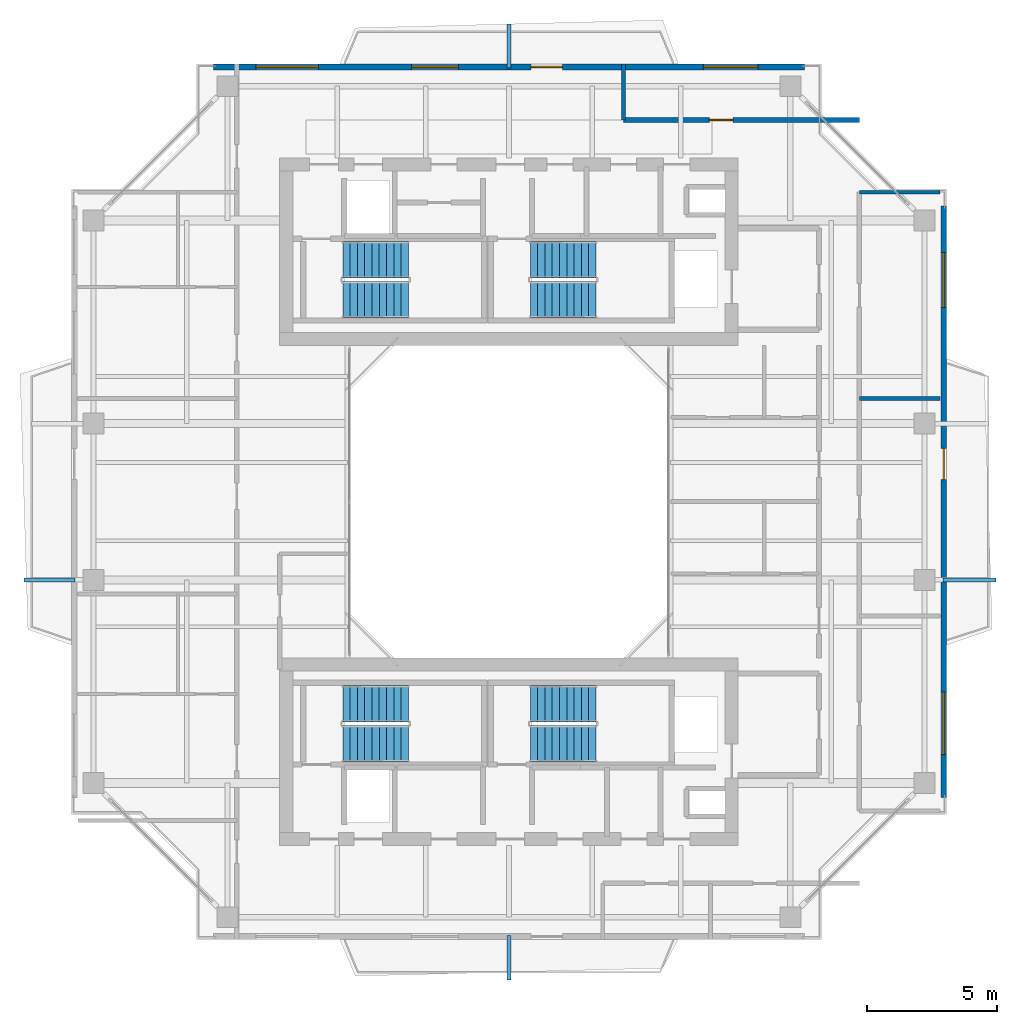
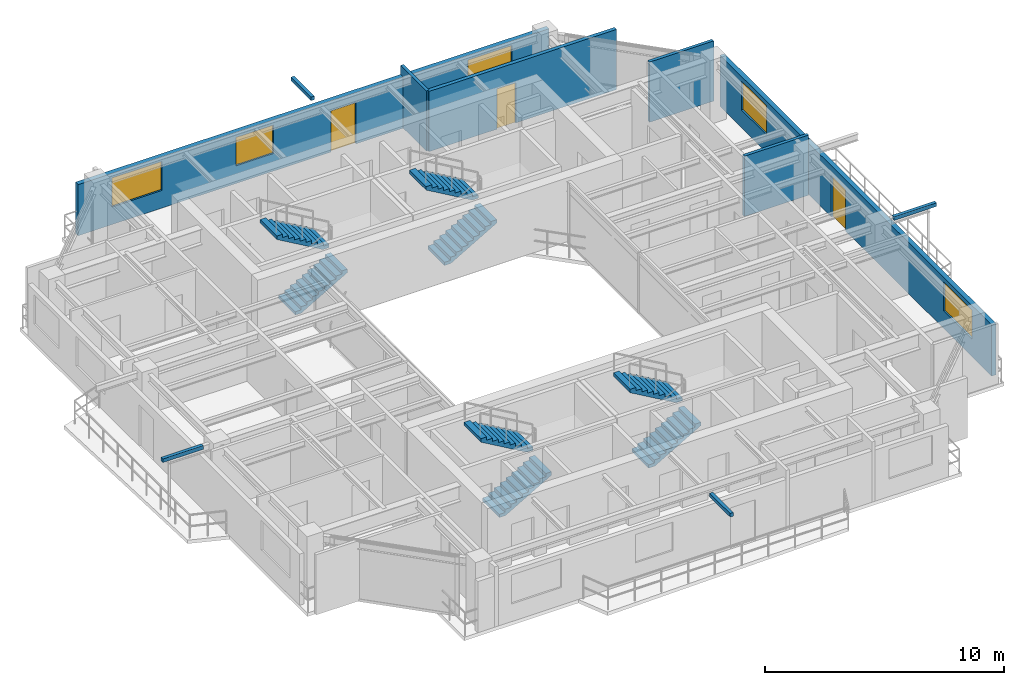
# One storey, part 13 of 15: 8 stair flights, 6 walls, 5 windows, 4 discrete accessories, 3 doors, 8 openings, 4 elements without a shape of their own.
"""IFC4 building model written with IfcOpenShell, lengths in metres."""

from ifc_helpers import new_model, si_unit, direction, frame, frame_2d, origin, origin_2d, place, context, subcontext, project, spatial, polyline, rectangle, outline, extrude, source, transform, mapped, material, layer, layer_set, type_object, element, fill, aggregate, save


model = new_model("IFC4")

# Units and contexts
model_context = context("Model", 3, precision=1e-05, world=origin(), true_north=direction((0.0, 1.0)))
body_context = subcontext(model_context, "Body", "Model", "MODEL_VIEW")
ifc_project = project(units=[si_unit("LENGTHUNIT", "METRE"), si_unit("AREAUNIT", "SQUARE_METRE"), si_unit("VOLUMEUNIT", "CUBIC_METRE"), si_unit("PLANEANGLEUNIT", "RADIAN"), si_unit("MASSUNIT", "GRAM", prefix="KILO"), si_unit("THERMODYNAMICTEMPERATUREUNIT", "KELVIN"), si_unit("POWERUNIT", "WATT")], contexts=[model_context])

# Site, building, storey
site_placement = place(None, origin())
site = spatial("IfcSite", under=ifc_project, at=site_placement, CompositionType="ELEMENT")
building_placement = place(site_placement, origin())
building = spatial("IfcBuilding", under=site, at=building_placement, Name="Qiaomeng Ring Towers", CompositionType="ELEMENT")
storey_placement = place(building_placement, frame((0.0, 0.0, 200.25)))
storey = spatial("IfcBuildingStorey", under=building, at=storey_placement, Name="L58", CompositionType="ELEMENT", Elevation=200.25)

# Wall, openings, windows, door
ifc_material_1 = material(Name="Precast concrete C40", Category="concrete")
ifc_layer_1 = layer(ifc_material_1, 0.219970703125, Name="Precast concrete C40")
ifc_layer_set_1 = layer_set([ifc_layer_1], Name="Precast concrete C40")
wall_type_1 = type_object("IfcWallType", Name="ARC-WL-EW2", PredefinedType="STANDARD", material=ifc_layer_set_1)
wall_1_placement = place(storey_placement, frame((7.64990234375, 39.68994140625, 0.0), z_axis=(0.0, 0.0, 1.0), x_axis=(1.0, 0.0, 0.0)))
wall_1 = element("IfcWall", 1, at=wall_1_placement, inside=storey, type_object=wall_type_1, Name="L58 Tower 1 N Exterior Wall", PredefinedType="STANDARD", context=body_context, shape_type="SweptSolid", body=[
    extrude(rectangle(XDim=22.7001953125, YDim=0.219970703125, at=frame_2d((11.35009765625, 0.0))), origin(), (0.0, 0.0, 1.0), 2.610107421875),
])
opening_1_placement = place(wall_1_placement, frame((12.199951171875, 0.0, 0.0)))
opening_1 = element("IfcOpeningElement", 2, at=opening_1_placement, cuts=wall_1, Name="Opening BD1", PredefinedType="OPENING", context=body_context, shape_type="SweptSolid", body=[
    extrude(rectangle(XDim=1.199951171875, YDim=2.10009765625, at=frame_2d((0.60009765625, 1.050048828125))), frame((0.0, 0.119873046875, 0.0), z_axis=(0.0, -1.0, 0.0), x_axis=(1.0, 0.0, 0.0)), (0.0, 0.0, 1.0), 0.239990234375),
])
opening_2_placement = place(wall_1_placement, frame((1.636962890625, 0.0, 0.89990234375)))
opening_2 = element("IfcOpeningElement", 3, at=opening_2_placement, cuts=wall_1, Name="Opening WN6", PredefinedType="OPENING", context=body_context, shape_type="SweptSolid", body=[
    extrude(rectangle(XDim=2.39990234375, YDim=1.47998046875, at=frame_2d((1.199951171875, 0.739990234375))), frame((0.0, 0.119873046875, 0.0), z_axis=(0.0, -1.0, 0.0), x_axis=(1.0, 0.0, 0.0)), (0.0, 0.0, 1.0), 0.239990234375),
])
opening_3_placement = place(wall_1_placement, frame((7.612060546875, 0.0, 0.89990234375)))
opening_3 = element("IfcOpeningElement", 4, at=opening_3_placement, cuts=wall_1, Name="Opening WN1", PredefinedType="OPENING", context=body_context, shape_type="SweptSolid", body=[
    extrude(rectangle(XDim=1.800048828125, YDim=1.449951171875, at=frame_2d((0.89990234375, 0.72509765625))), frame((0.0, 0.119873046875, 0.0), z_axis=(0.0, -1.0, 0.0), x_axis=(1.0, 0.0, 0.0)), (0.0, 0.0, 1.0), 0.239990234375),
])
opening_4_placement = place(wall_1_placement, frame((18.81201171875, 0.0, 0.89990234375)))
opening_4 = element("IfcOpeningElement", 5, at=opening_4_placement, cuts=wall_1, Name="Opening WN4", PredefinedType="OPENING", context=body_context, shape_type="SweptSolid", body=[
    extrude(rectangle(XDim=2.10009765625, YDim=1.47998046875, at=frame_2d((1.050048828125, 0.739990234375))), frame((0.0, 0.119873046875, 0.0), z_axis=(0.0, -1.0, 0.0), x_axis=(1.0, 0.0, 0.0)), (0.0, 0.0, 1.0), 0.239990234375),
])
ifc_material_2 = material(Name="Low-E dark-grey laminated double glazing", Category="glass")
window_type_1 = type_object("IfcWindowType", Name="ARC-WN-4", PartitioningType="TRIPLE_PANEL_VERTICAL", PredefinedType="WINDOW", material=ifc_material_2)
shared_shape_1 = source(origin(), body_context, "Body", "SweptSolid", [
    extrude(rectangle(XDim=2.10009765625, YDim=1.47998046875, at=frame_2d((1.050048828125, 0.739990234375))), frame((0.0, 0.030029296875, 0.0), z_axis=(0.0, -1.0, 0.0), x_axis=(1.0, 0.0, 0.0)), (0.0, 0.0, 1.0), 0.06005859375),
])
window_1_placement = place(opening_4_placement, origin())
window_1 = element("IfcWindow", 6, at=window_1_placement, inside=storey, type_object=window_type_1, Name="L58 Exterior Window WN4", OverallHeight=1.47998046875, OverallWidth=2.10009765625, PartitioningType="TRIPLE_PANEL_VERTICAL", PredefinedType="WINDOW", context=body_context, shape_type="MappedRepresentation", body=[
    mapped(shared_shape_1, transform((0.0, 0.0, 0.0), x_axis=(1.0, 0.0, 0.0), y_axis=(0.0, 1.0, 0.0), z_axis=(0.0, 0.0, 1.0), scale=1.0)),
])
fill(opening_4, window_1)
window_type_2 = type_object("IfcWindowType", Name="ARC-WN-1", PartitioningType="DOUBLE_PANEL_VERTICAL", PredefinedType="WINDOW", material=ifc_material_2)
shared_shape_2 = source(origin(), body_context, "Body", "SweptSolid", [
    extrude(rectangle(XDim=1.800048828125, YDim=1.449951171875, at=frame_2d((0.89990234375, 0.72509765625))), frame((0.0, 0.030029296875, 0.0), z_axis=(0.0, -1.0, 0.0), x_axis=(1.0, 0.0, 0.0)), (0.0, 0.0, 1.0), 0.06005859375),
])
window_2_placement = place(opening_3_placement, origin())
window_2 = element("IfcWindow", 7, at=window_2_placement, inside=storey, type_object=window_type_2, Name="L58 Exterior Window WN1", OverallHeight=1.449951171875, OverallWidth=1.800048828125, PartitioningType="DOUBLE_PANEL_VERTICAL", PredefinedType="WINDOW", context=body_context, shape_type="MappedRepresentation", body=[
    mapped(shared_shape_2, transform((0.0, 0.0, 0.0), x_axis=(1.0, 0.0, 0.0), y_axis=(0.0, 1.0, 0.0), z_axis=(0.0, 0.0, 1.0), scale=1.0)),
])
fill(opening_3, window_2)
window_type_3 = type_object("IfcWindowType", Name="ARC-WN-6", PartitioningType="TRIPLE_PANEL_VERTICAL", PredefinedType="WINDOW", material=ifc_material_2)
shared_shape_3 = source(origin(), body_context, "Body", "SweptSolid", [
    extrude(rectangle(XDim=2.39990234375, YDim=1.47998046875, at=frame_2d((1.199951171875, 0.739990234375))), frame((0.0, 0.030029296875, 0.0), z_axis=(0.0, -1.0, 0.0), x_axis=(1.0, 0.0, 0.0)), (0.0, 0.0, 1.0), 0.06005859375),
])
window_3_placement = place(opening_2_placement, origin())
window_3 = element("IfcWindow", 8, at=window_3_placement, inside=storey, type_object=window_type_3, Name="L58 Exterior Window WN6", OverallHeight=1.47998046875, OverallWidth=2.39990234375, PartitioningType="TRIPLE_PANEL_VERTICAL", PredefinedType="WINDOW", context=body_context, shape_type="MappedRepresentation", body=[
    mapped(shared_shape_3, transform((0.0, 0.0, 0.0), x_axis=(1.0, 0.0, 0.0), y_axis=(0.0, 1.0, 0.0), z_axis=(0.0, 0.0, 1.0), scale=1.0)),
])
fill(opening_2, window_3)
door_type_1 = type_object("IfcDoorType", Name="ARC-DR-BD1", OperationType="NOTDEFINED", PredefinedType="DOOR", material=ifc_material_2)
shared_shape_4 = source(origin(), body_context, "Body", "SweptSolid", [
    extrude(rectangle(XDim=1.199951171875, YDim=2.10009765625, at=frame_2d((0.60009765625, 1.050048828125))), frame((0.0, 0.02490234375, 0.0), z_axis=(0.0, -1.0, 0.0), x_axis=(1.0, 0.0, 0.0)), (0.0, 0.0, 1.0), 0.050048828125),
])
door_1_placement = place(opening_1_placement, origin())
door_1 = element("IfcDoor", 9, at=door_1_placement, inside=storey, type_object=door_type_1, Name="L58 N Balcony Glazed Door", OperationType="SINGLE_SWING_LEFT", OverallHeight=2.10009765625, OverallWidth=1.199951171875, PredefinedType="DOOR", context=body_context, shape_type="MappedRepresentation", body=[
    mapped(shared_shape_4, transform((0.0, 0.0, 0.0), x_axis=(1.0, 0.0, 0.0), y_axis=(0.0, 1.0, 0.0), z_axis=(0.0, 0.0, 1.0), scale=1.0)),
])
fill(opening_1, door_1)

wall_2_placement = place(storey_placement, frame((35.68994140625, 11.64990234375, 0.0), z_axis=(0.0, 0.0, 1.0), x_axis=(0.0, 1.0, 0.0)))
wall_2 = element("IfcWall", 10, at=wall_2_placement, inside=storey, type_object=wall_type_1, Name="L58 Tower 1 E Exterior Wall", PredefinedType="STANDARD", context=body_context, shape_type="SweptSolid", body=[
    extrude(rectangle(XDim=22.7001953125, YDim=0.219970703125, at=frame_2d((11.35009765625, 0.0))), origin(), (0.0, 0.0, 1.0), 2.610107421875),
])
opening_5_placement = place(wall_2_placement, frame((12.199951171875, 0.0, 0.0)))
opening_5 = element("IfcOpeningElement", 11, at=opening_5_placement, cuts=wall_2, Name="Opening BD1", PredefinedType="OPENING", context=body_context, shape_type="SweptSolid", body=[
    extrude(rectangle(XDim=1.199951171875, YDim=2.10009765625, at=frame_2d((0.60009765625, 1.050048828125))), frame((0.0, 0.119873046875, 0.0), z_axis=(0.0, -1.0, 0.0), x_axis=(1.0, 0.0, 0.0)), (0.0, 0.0, 1.0), 0.239990234375),
])
opening_6_placement = place(wall_2_placement, frame((1.637939453125, 0.0, 0.89990234375)))
opening_6 = element("IfcOpeningElement", 12, at=opening_6_placement, cuts=wall_2, Name="Opening WN6", PredefinedType="OPENING", context=body_context, shape_type="SweptSolid", body=[
    extrude(rectangle(XDim=2.39990234375, YDim=1.47998046875, at=frame_2d((1.199951171875, 0.739990234375))), frame((0.0, 0.119873046875, 0.0), z_axis=(0.0, -1.0, 0.0), x_axis=(1.0, 0.0, 0.0)), (0.0, 0.0, 1.0), 0.239990234375),
])
opening_7_placement = place(wall_2_placement, frame((18.81298828125, 0.0, 0.89990234375)))
opening_7 = element("IfcOpeningElement", 13, at=opening_7_placement, cuts=wall_2, Name="Opening WN4", PredefinedType="OPENING", context=body_context, shape_type="SweptSolid", body=[
    extrude(rectangle(XDim=2.10009765625, YDim=1.47998046875, at=frame_2d((1.050048828125, 0.739990234375))), frame((0.0, 0.119873046875, 0.0), z_axis=(0.0, -1.0, 0.0), x_axis=(1.0, 0.0, 0.0)), (0.0, 0.0, 1.0), 0.239990234375),
])
window_4_placement = place(opening_7_placement, origin())
window_4 = element("IfcWindow", 14, at=window_4_placement, inside=storey, type_object=window_type_1, Name="L58 Exterior Window WN4", OverallHeight=1.47998046875, OverallWidth=2.10009765625, PartitioningType="TRIPLE_PANEL_VERTICAL", PredefinedType="WINDOW", context=body_context, shape_type="MappedRepresentation", body=[
    mapped(shared_shape_1, transform((0.0, 0.0, 0.0), x_axis=(1.0, 0.0, 0.0), y_axis=(0.0, 1.0, 0.0), z_axis=(0.0, 0.0, 1.0), scale=1.0)),
])
fill(opening_7, window_4)
window_5_placement = place(opening_6_placement, origin())
window_5 = element("IfcWindow", 15, at=window_5_placement, inside=storey, type_object=window_type_3, Name="L58 Exterior Window WN6", OverallHeight=1.47998046875, OverallWidth=2.39990234375, PartitioningType="TRIPLE_PANEL_VERTICAL", PredefinedType="WINDOW", context=body_context, shape_type="MappedRepresentation", body=[
    mapped(shared_shape_3, transform((0.0, 0.0, 0.0), x_axis=(1.0, 0.0, 0.0), y_axis=(0.0, 1.0, 0.0), z_axis=(0.0, 0.0, 1.0), scale=1.0)),
])
fill(opening_6, window_5)
door_2_placement = place(opening_5_placement, origin())
door_2 = element("IfcDoor", 16, at=door_2_placement, inside=storey, type_object=door_type_1, Name="L58 E Balcony Glazed Door", OperationType="SINGLE_SWING_LEFT", OverallHeight=2.10009765625, OverallWidth=1.199951171875, PredefinedType="DOOR", context=body_context, shape_type="MappedRepresentation", body=[
    mapped(shared_shape_4, transform((0.0, 0.0, 0.0), x_axis=(1.0, 0.0, 0.0), y_axis=(0.0, 1.0, 0.0), z_axis=(0.0, 0.0, 1.0), scale=1.0)),
])
fill(opening_5, door_2)

# Wall, opening, door
ifc_material_3 = material(Name="Autoclaved aerated concrete block", Category="concrete")
ifc_layer_2 = layer(ifc_material_3, 0.179931640625, Name="Autoclaved aerated concrete block")
ifc_layer_set_2 = layer_set([ifc_layer_2], Name="Autoclaved aerated concrete block")
wall_type_2 = type_object("IfcWallType", Name="ARC-WL-PW2", PredefinedType="PARTITIONING", material=ifc_layer_set_2)
wall_3_placement = place(storey_placement, frame((23.39990234375, 37.64990234375, 0.0), z_axis=(0.0, 0.0, 1.0), x_axis=(1.0, 0.0, 0.0)))
wall_3 = element("IfcWall", 17, at=wall_3_placement, inside=storey, type_object=wall_type_2, Name="L58 Interior Wall PW2", PredefinedType="PARTITIONING", context=body_context, shape_type="SweptSolid", body=[
    extrude(rectangle(XDim=9.050048828125, YDim=0.179931640625, at=frame_2d((4.52490234375, 0.0))), origin(), (0.0, 0.0, 1.0), 3.070068359375),
])
opening_8_placement = place(wall_3_placement, frame((3.2900390625, 0.0, 0.0)))
opening_8 = element("IfcOpeningElement", 18, at=opening_8_placement, cuts=wall_3, Name="Opening ID1", PredefinedType="OPENING", context=body_context, shape_type="SweptSolid", body=[
    extrude(rectangle(XDim=0.89990234375, YDim=2.050048828125, at=frame_2d((0.449951171875, 1.02490234375))), frame((0.0, 0.099853515625, 0.0), z_axis=(0.0, -1.0, 0.0), x_axis=(1.0, 0.0, 0.0)), (0.0, 0.0, 1.0), 0.199951171875),
])
ifc_material_4 = material(Name="Engineered oak timber", Category="wood")
door_type_2 = type_object("IfcDoorType", Name="ARC-DR-ID1", OperationType="NOTDEFINED", PredefinedType="DOOR", material=ifc_material_4)
shared_shape_5 = source(origin(), body_context, "Body", "SweptSolid", [
    extrude(rectangle(XDim=0.89990234375, YDim=2.050048828125, at=frame_2d((0.449951171875, 1.02490234375))), frame((0.0, 0.02490234375, 0.0), z_axis=(0.0, -1.0, 0.0), x_axis=(1.0, 0.0, 0.0)), (0.0, 0.0, 1.0), 0.050048828125),
])
door_3_placement = place(opening_8_placement, origin())
door_3 = element("IfcDoor", 19, at=door_3_placement, inside=storey, type_object=door_type_2, Name="L58 Door ID1", OperationType="SINGLE_SWING_LEFT", OverallHeight=2.050048828125, OverallWidth=0.89990234375, PredefinedType="DOOR", context=body_context, shape_type="MappedRepresentation", body=[
    mapped(shared_shape_5, transform((0.0, 0.0, 0.0), x_axis=(1.0, 0.0, 0.0), y_axis=(0.0, 1.0, 0.0), z_axis=(0.0, 0.0, 1.0), scale=1.0)),
])
fill(opening_8, door_3)

# Walls
ifc_material_5 = material(Name="Gypsum fireboard steel-stud partition", Category="steel")
ifc_layer_3 = layer(ifc_material_5, 0.14990234375, Name="Gypsum fireboard steel-stud partition")
ifc_layer_set_3 = layer_set([ifc_layer_3], Name="Gypsum fireboard steel-stud partition")
wall_type_3 = type_object("IfcWallType", Name="ARC-WL-PW3", PredefinedType="PARTITIONING", material=ifc_layer_set_3)
wall_4_placement = place(storey_placement, frame((23.39990234375, 37.64990234375, 0.0), z_axis=(0.0, 0.0, 1.0), x_axis=(0.0, 1.0, 0.0)))
element("IfcWall", 20, at=wall_4_placement, inside=storey, type_object=wall_type_3, Name="L58 Interior Wall PW3", PredefinedType="PARTITIONING", context=body_context, shape_type="SweptSolid", body=[
    extrude(rectangle(XDim=2.150146484375, YDim=0.14990234375, at=frame_2d((1.0751953125, 0.0))), origin(), (0.0, 0.0, 1.0), 3.070068359375),
])
for number, where, z_axis, x_axis, name in (
    (21, (32.449951171875, 34.8798828125, 0.0), (0.0, 0.0, 1.0), (1.0, 0.0, 0.0), "L58 Interior Wall PW3"),
    (22, (32.449951171875, 26.9599609375, 0.0), (0.0, 0.0, 1.0), (1.0, 0.0, 0.0), "L58 Interior Wall PW3"),
):
    element("IfcWall", number, at=place(storey_placement, frame(where, z_axis=z_axis, x_axis=x_axis)), inside=storey, type_object=wall_type_3, Name=name, PredefinedType="PARTITIONING", context=body_context, shape_type="SweptSolid", body=[
        extrude(rectangle(XDim=3.10009765625, YDim=0.14990234375, at=frame_2d((1.550048828125, 0.0))), origin(), (0.0, 0.0, 1.0), 3.070068359375),
    ])

# Stair, stair flights
stair_type = type_object("IfcStairType", Name="ARC-ST-325", PredefinedType="HALF_TURN_STAIR", material=ifc_material_1)
stair_1_placement = place(storey_placement, origin())
stair_1 = element("IfcStair", 23, at=stair_1_placement, inside=storey, type_object=stair_type, Name="L58 Tower 1 North Stair 1", PredefinedType="HALF_TURN_STAIR")
stair_flight_type = type_object("IfcStairFlightType", Name="ARC-ST-325-FL", PredefinedType="STRAIGHT", material=ifc_material_1)
shared_shape_6 = source(origin(), body_context, "Body", "SweptSolid", [
    extrude(outline(polyline([(0.0, 0.0), (0.0, 0.16259765625), (0.280029296875, 0.16259765625), (0.280029296875, 0.324951171875), (0.56005859375, 0.324951171875), (0.56005859375, 0.487548828125), (0.840087890625, 0.487548828125), (0.840087890625, 0.64990234375), (1.1201171875, 0.64990234375), (1.1201171875, 0.8125), (1.39990234375, 0.8125), (1.39990234375, 0.97509765625), (1.679931640625, 0.97509765625), (1.679931640625, 1.137451171875), (1.9599609375, 1.137451171875), (1.9599609375, 1.300048828125), (2.239990234375, 1.300048828125), (2.239990234375, 1.46240234375), (2.52001953125, 1.46240234375), (2.52001953125, 1.625), (2.52001953125, 1.2890625), (0.298583984375, 0.0), (0.0, 0.0)])), frame((0.0, 0.699951171875, 0.0), z_axis=(0.0, -1.0, 0.0), x_axis=(1.0, 0.0, 0.0)), (0.0, 0.0, 1.0), 1.39990234375),
])
stair_flight_1_placement = place(storey_placement, frame((12.6201171875, 30.75, 0.0), z_axis=(0.0, 0.0, 1.0), x_axis=(1.0, 0.0, 0.0)))
stair_flight_1 = element("IfcStairFlight", 24, at=stair_flight_1_placement, type_object=stair_flight_type, Name="ST1 flight 1", NumberOfRisers=10, NumberOfTreads=9, PredefinedType="STRAIGHT", RiserHeight=0.1625, TreadLength=0.28, context=body_context, shape_type="MappedRepresentation", body=[
    mapped(shared_shape_6, transform((0.0, 0.0, 0.0), x_axis=(1.0, 0.0, 0.0), y_axis=(0.0, 1.0, 0.0), z_axis=(0.0, 0.0, 1.0), scale=1.0)),
])
stair_flight_2_placement = place(storey_placement, frame((15.139892578125, 32.2900390625, 1.625), z_axis=(0.0, 0.0, 1.0), x_axis=(-1.0, 0.0, 0.0)))
stair_flight_2 = element("IfcStairFlight", 25, at=stair_flight_2_placement, type_object=stair_flight_type, Name="ST1 flight 2", NumberOfRisers=10, NumberOfTreads=9, PredefinedType="STRAIGHT", RiserHeight=0.1625, TreadLength=0.28, context=body_context, shape_type="MappedRepresentation", body=[
    mapped(shared_shape_6, transform((0.0, 0.0, 0.0), x_axis=(1.0, 0.0, 0.0), y_axis=(0.0, 1.0, 0.0), z_axis=(0.0, 0.0, 1.0), scale=1.0)),
])
aggregate(stair_1, [stair_flight_1, stair_flight_2])

stair_2_placement = place(storey_placement, origin())
stair_2 = element("IfcStair", 26, at=stair_2_placement, inside=storey, type_object=stair_type, Name="L58 Tower 1 North Stair 2", PredefinedType="HALF_TURN_STAIR")
stair_flight_3_placement = place(storey_placement, frame((19.820068359375, 30.75, 0.0), z_axis=(0.0, 0.0, 1.0), x_axis=(1.0, 0.0, 0.0)))
stair_flight_3 = element("IfcStairFlight", 27, at=stair_flight_3_placement, type_object=stair_flight_type, Name="ST2 flight 1", NumberOfRisers=10, NumberOfTreads=9, PredefinedType="STRAIGHT", RiserHeight=0.1625, TreadLength=0.28, context=body_context, shape_type="MappedRepresentation", body=[
    mapped(shared_shape_6, transform((0.0, 0.0, 0.0), x_axis=(1.0, 0.0, 0.0), y_axis=(0.0, 1.0, 0.0), z_axis=(0.0, 0.0, 1.0), scale=1.0)),
])
stair_flight_4_placement = place(storey_placement, frame((22.340087890625, 32.2900390625, 1.625), z_axis=(0.0, 0.0, 1.0), x_axis=(-1.0, 0.0, 0.0)))
stair_flight_4 = element("IfcStairFlight", 28, at=stair_flight_4_placement, type_object=stair_flight_type, Name="ST2 flight 2", NumberOfRisers=10, NumberOfTreads=9, PredefinedType="STRAIGHT", RiserHeight=0.1625, TreadLength=0.28, context=body_context, shape_type="MappedRepresentation", body=[
    mapped(shared_shape_6, transform((0.0, 0.0, 0.0), x_axis=(1.0, 0.0, 0.0), y_axis=(0.0, 1.0, 0.0), z_axis=(0.0, 0.0, 1.0), scale=1.0)),
])
aggregate(stair_2, [stair_flight_3, stair_flight_4])

stair_3_placement = place(storey_placement, origin())
stair_3 = element("IfcStair", 29, at=stair_3_placement, inside=storey, type_object=stair_type, Name="L58 Tower 1 South Stair 3", PredefinedType="HALF_TURN_STAIR")
stair_flight_5_placement = place(storey_placement, frame((12.6201171875, 13.7099609375, 0.0), z_axis=(0.0, 0.0, 1.0), x_axis=(1.0, 0.0, 0.0)))
stair_flight_5 = element("IfcStairFlight", 30, at=stair_flight_5_placement, type_object=stair_flight_type, Name="ST3 flight 1", NumberOfRisers=10, NumberOfTreads=9, PredefinedType="STRAIGHT", RiserHeight=0.1625, TreadLength=0.28, context=body_context, shape_type="MappedRepresentation", body=[
    mapped(shared_shape_6, transform((0.0, 0.0, 0.0), x_axis=(1.0, 0.0, 0.0), y_axis=(0.0, 1.0, 0.0), z_axis=(0.0, 0.0, 1.0), scale=1.0)),
])
stair_flight_6_placement = place(storey_placement, frame((15.139892578125, 15.25, 1.625), z_axis=(0.0, 0.0, 1.0), x_axis=(-1.0, 0.0, 0.0)))
stair_flight_6 = element("IfcStairFlight", 31, at=stair_flight_6_placement, type_object=stair_flight_type, Name="ST3 flight 2", NumberOfRisers=10, NumberOfTreads=9, PredefinedType="STRAIGHT", RiserHeight=0.1625, TreadLength=0.28, context=body_context, shape_type="MappedRepresentation", body=[
    mapped(shared_shape_6, transform((0.0, 0.0, 0.0), x_axis=(1.0, 0.0, 0.0), y_axis=(0.0, 1.0, 0.0), z_axis=(0.0, 0.0, 1.0), scale=1.0)),
])
aggregate(stair_3, [stair_flight_5, stair_flight_6])

stair_4_placement = place(storey_placement, origin())
stair_4 = element("IfcStair", 32, at=stair_4_placement, inside=storey, type_object=stair_type, Name="L58 Tower 1 South Stair 4", PredefinedType="HALF_TURN_STAIR")
stair_flight_7_placement = place(storey_placement, frame((19.820068359375, 13.7099609375, 0.0), z_axis=(0.0, 0.0, 1.0), x_axis=(1.0, 0.0, 0.0)))
stair_flight_7 = element("IfcStairFlight", 33, at=stair_flight_7_placement, type_object=stair_flight_type, Name="ST4 flight 1", NumberOfRisers=10, NumberOfTreads=9, PredefinedType="STRAIGHT", RiserHeight=0.1625, TreadLength=0.28, context=body_context, shape_type="MappedRepresentation", body=[
    mapped(shared_shape_6, transform((0.0, 0.0, 0.0), x_axis=(1.0, 0.0, 0.0), y_axis=(0.0, 1.0, 0.0), z_axis=(0.0, 0.0, 1.0), scale=1.0)),
])
stair_flight_8_placement = place(storey_placement, frame((22.340087890625, 15.25, 1.625), z_axis=(0.0, 0.0, 1.0), x_axis=(-1.0, 0.0, 0.0)))
stair_flight_8 = element("IfcStairFlight", 34, at=stair_flight_8_placement, type_object=stair_flight_type, Name="ST4 flight 2", NumberOfRisers=10, NumberOfTreads=9, PredefinedType="STRAIGHT", RiserHeight=0.1625, TreadLength=0.28, context=body_context, shape_type="MappedRepresentation", body=[
    mapped(shared_shape_6, transform((0.0, 0.0, 0.0), x_axis=(1.0, 0.0, 0.0), y_axis=(0.0, 1.0, 0.0), z_axis=(0.0, 0.0, 1.0), scale=1.0)),
])
aggregate(stair_4, [stair_flight_7, stair_flight_8])

# Discrete accessories
ifc_material_6 = material(Name="Stainless steel 316", Category="steel")
discrete_accessory_type = type_object("IfcDiscreteAccessoryType", Name="ARC-ACC-BRACKET", PredefinedType="BRACKET", material=ifc_material_6)
shared_shape_7 = source(origin(), body_context, "Body", "SweptSolid", [
    extrude(rectangle(XDim=2.050048828125, YDim=0.159912109375, at=origin_2d()), origin(), (0.0, 0.0, 1.0), 0.179931640625),
])
discrete_accessory_1_placement = place(storey_placement, frame((36.675048828125, 20.0, 2.89990234375), z_axis=(0.0, 0.0, 1.0), x_axis=(1.0, 0.0, 0.0)))
element("IfcDiscreteAccessory", 35, at=discrete_accessory_1_placement, inside=storey, type_object=discrete_accessory_type, Name="L58 Stainless Outer-Skin Tie Bracket E", PredefinedType="BRACKET", context=body_context, shape_type="MappedRepresentation", body=[
    mapped(shared_shape_7, transform((0.0, 0.0, 0.0), x_axis=(1.0, 0.0, 0.0), y_axis=(0.0, 1.0, 0.0), z_axis=(0.0, 0.0, 1.0), scale=1.0)),
])
shared_shape_8 = source(origin(), body_context, "Body", "SweptSolid", [
    extrude(rectangle(XDim=0.159912109375, YDim=1.7099609375, at=origin_2d()), origin(), (0.0, 0.0, 1.0), 0.179931640625),
])
discrete_accessory_2_placement = place(storey_placement, frame((19.0, 5.4951171875, 2.89990234375), z_axis=(0.0, 0.0, 1.0), x_axis=(1.0, 0.0, 0.0)))
element("IfcDiscreteAccessory", 36, at=discrete_accessory_2_placement, inside=storey, type_object=discrete_accessory_type, Name="L58 Stainless Outer-Skin Tie Bracket S", PredefinedType="BRACKET", context=body_context, shape_type="MappedRepresentation", body=[
    mapped(shared_shape_8, transform((0.0, 0.0, 0.0), x_axis=(1.0, 0.0, 0.0), y_axis=(0.0, 1.0, 0.0), z_axis=(0.0, 0.0, 1.0), scale=1.0)),
])
shared_shape_9 = source(origin(), body_context, "Body", "SweptSolid", [
    extrude(rectangle(XDim=0.159912109375, YDim=1.68994140625, at=origin_2d()), origin(), (0.0, 0.0, 1.0), 0.179931640625),
])
discrete_accessory_3_placement = place(storey_placement, frame((19.0, 40.4951171875, 2.89990234375), z_axis=(0.0, 0.0, 1.0), x_axis=(1.0, 0.0, 0.0)))
element("IfcDiscreteAccessory", 37, at=discrete_accessory_3_placement, inside=storey, type_object=discrete_accessory_type, Name="L58 Stainless Outer-Skin Tie Bracket N", PredefinedType="BRACKET", context=body_context, shape_type="MappedRepresentation", body=[
    mapped(shared_shape_9, transform((0.0, 0.0, 0.0), x_axis=(1.0, 0.0, 0.0), y_axis=(0.0, 1.0, 0.0), z_axis=(0.0, 0.0, 1.0), scale=1.0)),
])
shared_shape_10 = source(origin(), body_context, "Body", "SweptSolid", [
    extrude(rectangle(XDim=1.969970703125, YDim=0.159912109375, at=origin_2d()), origin(), (0.0, 0.0, 1.0), 0.179931640625),
])
discrete_accessory_4_placement = place(storey_placement, frame((1.364990234375, 20.0, 2.89990234375), z_axis=(0.0, 0.0, 1.0), x_axis=(1.0, 0.0, 0.0)))
element("IfcDiscreteAccessory", 38, at=discrete_accessory_4_placement, inside=storey, type_object=discrete_accessory_type, Name="L58 Stainless Outer-Skin Tie Bracket W", PredefinedType="BRACKET", context=body_context, shape_type="MappedRepresentation", body=[
    mapped(shared_shape_10, transform((0.0, 0.0, 0.0), x_axis=(1.0, 0.0, 0.0), y_axis=(0.0, 1.0, 0.0), z_axis=(0.0, 0.0, 1.0), scale=1.0)),
])

save(model, "model.ifc")
